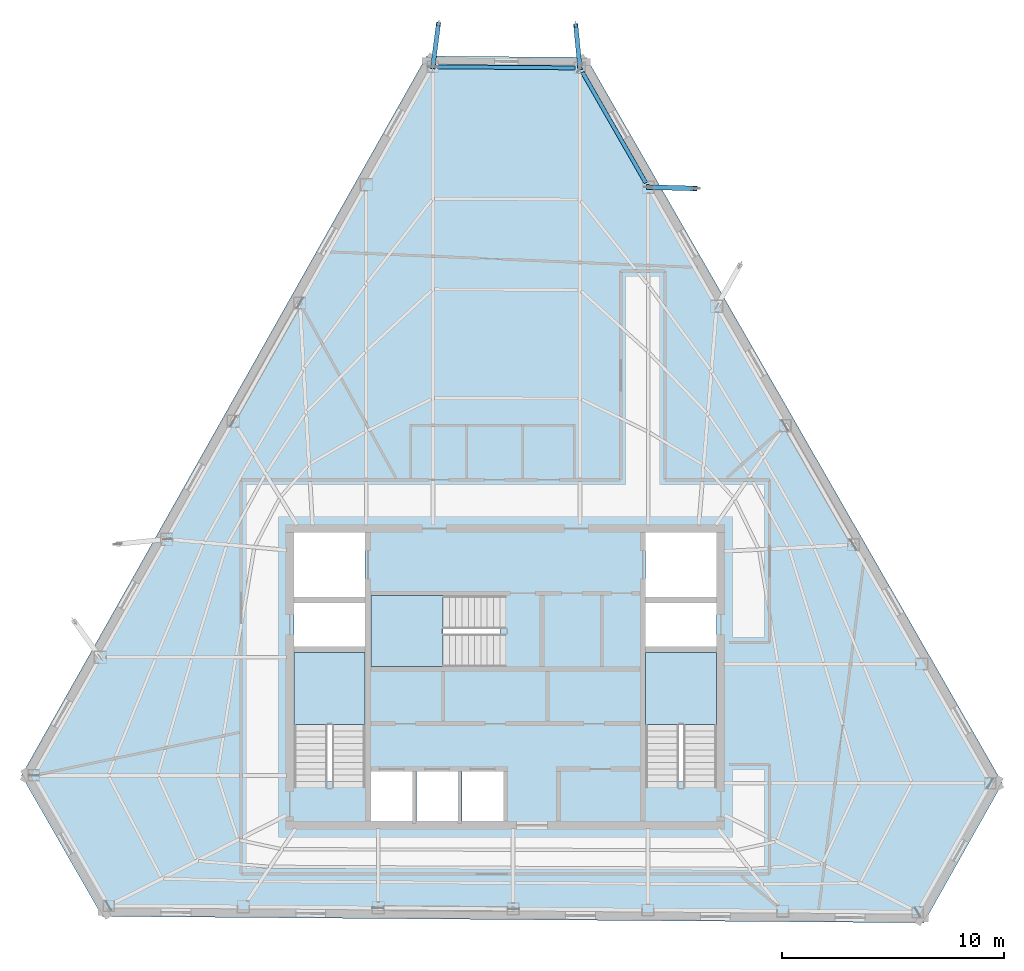
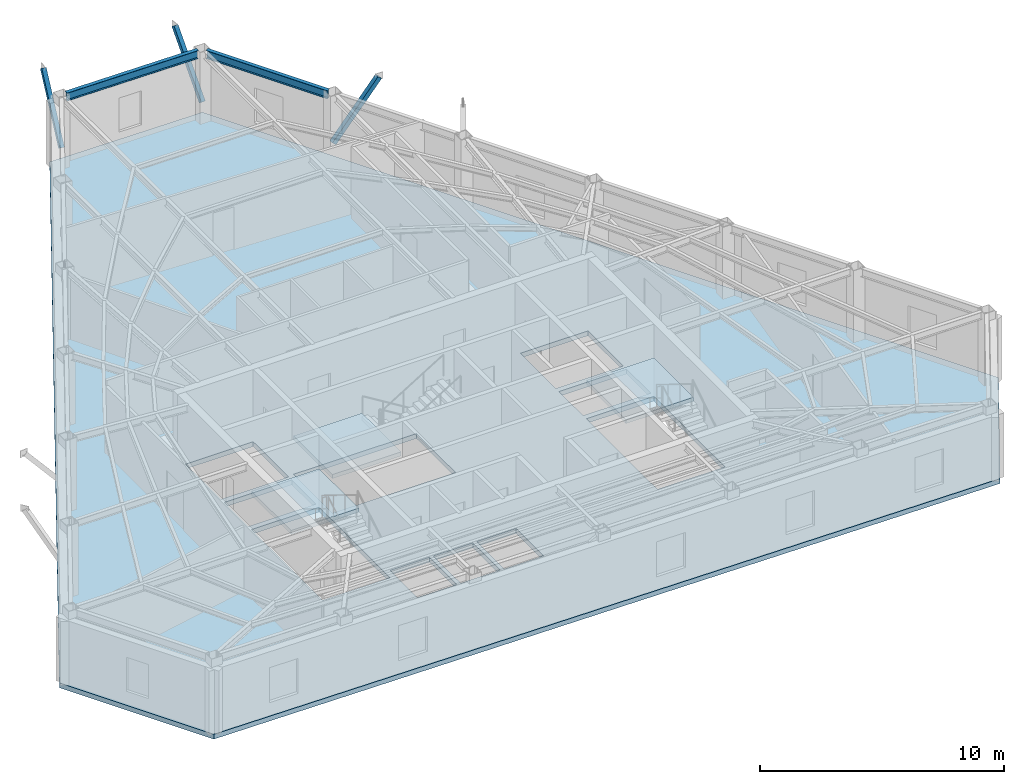
# One storey, part 3 of 10: 4 slabs, 3 members, 2 beams, 3 elements without a shape of their own.
"""IFC4 building model written with IfcOpenShell, lengths in metres."""

import ifcopenshell
import ifcopenshell.guid

model = None  # the IFC model being written
_history = None  # IfcOwnerHistory: only IFC2X3 demands one
_inside = {}  # id of a spatial element -> (the spatial element, [elements in it])
_under = {}  # id of a project, library or spatial element -> (it, [spatial elements below it])
_declared = {}  # id of a project -> (the project, [libraries it declares])
_typed = {}  # id of a type object -> (the type object, [elements of that type])
_made_of = {}  # id of a material, layer set ... -> (it, [elements and type objects made of it])


def new_model(schema):
    """Start an empty IFC model of exactly this schema.

    Asked for "IFC4X3", IfcOpenShell would pick the latest addendum, in which some entities
    have other attributes; the version numbers below select the first issue.
    IFC2X3 requires an IfcOwnerHistory on every rooted entity: one is made here for all.
    """
    global model, _history
    if schema == "IFC4X3":
        model = ifcopenshell.file(schema_version=(4, 3, 0, 0))
    else:
        model = ifcopenshell.file(schema=schema)
    _inside.clear()
    _under.clear()
    _declared.clear()
    _typed.clear()
    _made_of.clear()
    _history = None
    if model.schema == "IFC2X3":
        org = make("IfcOrganization", Name="unknown")
        user = make(
            "IfcPersonAndOrganization",
            ThePerson=make("IfcPerson", FamilyName="unknown"),
            TheOrganization=org,
        )
        app = make(
            "IfcApplication",
            ApplicationDeveloper=org,
            Version="unknown",
            ApplicationFullName="unknown",
            ApplicationIdentifier="unknown",
        )
        _history = make(
            "IfcOwnerHistory",
            OwningUser=user,
            OwningApplication=app,
            ChangeAction="ADDED",
            CreationDate=0,
        )
    return model


def make(cls, **values):
    """One entity of the class cls with the attributes given. An attribute that is None is left unset."""
    return model.create_entity(
        cls, **{name: value for name, value in values.items() if value is not None}
    )


def rooted(cls, **values):
    """An entity with a GlobalId (a new one), such as an element, a storey or a relation."""
    return make(cls, GlobalId=ifcopenshell.guid.new(), OwnerHistory=_history, **values)


def si_unit(unit_type, name, prefix=None):
    """IfcSIUnit, for example si_unit("LENGTHUNIT", "METRE", prefix="MILLI")."""
    return make("IfcSIUnit", UnitType=unit_type, Prefix=prefix, Name=name)


def assignment(units):
    """IfcUnitAssignment: the units of a project."""
    return None if units is None else make("IfcUnitAssignment", Units=units)


def point(xyz):
    """IfcCartesianPoint."""
    return None if xyz is None else make("IfcCartesianPoint", Coordinates=xyz)


def direction(xyz):
    """IfcDirection."""
    return None if xyz is None else make("IfcDirection", DirectionRatios=xyz)


def frame(location, z_axis=None, x_axis=None):
    """IfcAxis2Placement3D, a coordinate frame: its origin and axes. An axis left out is left unset."""
    return make(
        "IfcAxis2Placement3D",
        Location=point(location),
        Axis=direction(z_axis),
        RefDirection=direction(x_axis),
    )


def frame_2d(location, x_axis=None):
    """IfcAxis2Placement2D, a coordinate frame in the plane: its origin and x axis."""
    return make(
        "IfcAxis2Placement2D", Location=point(location), RefDirection=direction(x_axis)
    )


def origin():
    """The frame at (0, 0, 0) with its axes left unset."""
    return frame((0.0, 0.0, 0.0))


def origin_2d():
    """The frame at (0, 0) in the plane with its x axis left unset."""
    return frame_2d((0.0, 0.0))


def place(relative_to, where):
    """IfcLocalPlacement: puts the frame where relative to a parent placement (None: the world)."""
    return make(
        "IfcLocalPlacement", PlacementRelTo=relative_to, RelativePlacement=where
    )


def context(
    kind, dimensions, precision=None, world=None, true_north=None, identifier=None
):
    """IfcGeometricRepresentationContext, for example the 3D "Model" context."""
    return make(
        "IfcGeometricRepresentationContext",
        ContextIdentifier=identifier,
        ContextType=kind,
        CoordinateSpaceDimension=dimensions,
        Precision=precision,
        WorldCoordinateSystem=world,
        TrueNorth=true_north,
    )


def subcontext(parent, identifier, kind, view, scale=None):
    """IfcGeometricRepresentationSubContext, for example "Body" below "Model"."""
    return make(
        "IfcGeometricRepresentationSubContext",
        ContextIdentifier=identifier,
        ContextType=kind,
        ParentContext=parent,
        TargetScale=scale,
        TargetView=view,
    )


def project(units=None, contexts=None):
    """IfcProject with its units and contexts."""
    return rooted(
        "IfcProject",
        Name="project",
        RepresentationContexts=contexts,
        UnitsInContext=assignment(units),
    )


def spatial(cls, under=None, at=None, **own):
    """A site, building, storey or space (cls), placed at a placement, below another one or the project."""
    s = rooted(cls, ObjectPlacement=at, **own)
    if under is not None:
        _under.setdefault(under.id(), (under, []))[1].append(s)
    return s


def polyline(points):
    """IfcPolyline through the points."""
    return make("IfcPolyline", Points=[point(p) for p in points])


def profile(cls, at=None, kind="AREA", **sizes):
    """A parametric profile (cls). Its sizes go by their IFC names, for example OverallWidth=200.0."""
    return make(cls, ProfileType=kind, Position=at, **sizes)


def hollow_rectangle(**sizes):
    """IfcRectangleHollowProfileDef."""
    return profile("IfcRectangleHollowProfileDef", **sizes)


def i_section(**sizes):
    """IfcIShapeProfileDef."""
    return profile("IfcIShapeProfileDef", **sizes)


def outline(outer, holes=None, kind="AREA"):
    """IfcArbitraryClosedProfileDef: a profile drawn as a closed curve; with holes, ...WithVoids."""
    if holes is None:
        return make("IfcArbitraryClosedProfileDef", ProfileType=kind, OuterCurve=outer)
    return make(
        "IfcArbitraryProfileDefWithVoids",
        ProfileType=kind,
        OuterCurve=outer,
        InnerCurves=holes,
    )


def extrude(swept, where, along, depth):
    """IfcExtrudedAreaSolid: the profile swept, set in the frame where, extruded along a direction by depth."""
    return make(
        "IfcExtrudedAreaSolid",
        SweptArea=swept,
        Position=where,
        ExtrudedDirection=direction(along),
        Depth=depth,
    )


def shape(context_of_items, identifier, shape_type, items):
    """IfcShapeRepresentation: the items that make up one representation, for example the "Body"."""
    return make(
        "IfcShapeRepresentation",
        ContextOfItems=context_of_items,
        RepresentationIdentifier=identifier,
        RepresentationType=shape_type,
        Items=items,
    )


def material(Name=None, Category=None):
    """IfcMaterial."""
    return make("IfcMaterial", Name=Name, Category=Category)


def layer(
    of_material, thickness, ventilated=None, Name=None, Category=None, Priority=None
):
    """IfcMaterialLayer: one layer of a wall or slab, of a material (None: an air gap)."""
    return make(
        "IfcMaterialLayer",
        Material=of_material,
        LayerThickness=thickness,
        IsVentilated=ventilated,
        Name=Name,
        Category=Category,
        Priority=Priority,
    )


def layer_set(layers, Name=None):
    """IfcMaterialLayerSet."""
    return make("IfcMaterialLayerSet", MaterialLayers=layers, LayerSetName=Name)


def material_profile(
    of_material, cross_section, Name=None, Category=None, Priority=None
):
    """IfcMaterialProfile: a cross section and its material."""
    return make(
        "IfcMaterialProfile",
        Name=Name,
        Material=of_material,
        Profile=cross_section,
        Priority=Priority,
        Category=Category,
    )


def profile_set(profiles, Name=None, composite=None):
    """IfcMaterialProfileSet."""
    return make(
        "IfcMaterialProfileSet",
        Name=Name,
        MaterialProfiles=profiles,
        CompositeProfile=composite,
    )


def made_of(thing, what):
    """Note that an element or type object is made of a material, layer set ...; save() writes the relation."""
    if what is not None:
        _made_of.setdefault(what.id(), (what, []))[1].append(thing)
    return thing


def type_object(cls, material=None, **own):
    """A type object (cls), such as IfcWallType, which elements share."""
    return made_of(rooted(cls, **own), material)


def element(
    cls,
    number,
    at=None,
    inside=None,
    cuts=None,
    type_object=None,
    material=None,
    context=None,
    identifier="Body",
    shape_type=None,
    held_by="IfcProductDefinitionShape",
    body=None,
    shapes=None,
    **own,
):
    """One element of the class cls, such as IfcWall. Its Tag is "e" and its number.

    at: its placement. inside: the storey or other place that contains it. cuts: it is an
    opening in that element (IfcRelVoidsElement). A single representation is given by context,
    identifier, shape_type and body (its items); several are given by shapes. held_by: the class
    of the entity that holds the representations. save() writes the other relations.
    """
    e = rooted(cls, Tag="e%d" % number, ObjectPlacement=at, **own)
    if body is not None:
        shapes = [shape(context, identifier, shape_type, body)]
    if shapes is not None:
        e.Representation = make(held_by, Representations=shapes)
    if inside is not None:
        _inside.setdefault(inside.id(), (inside, []))[1].append(e)
    if cuts is not None:
        rooted(
            "IfcRelVoidsElement", RelatingBuildingElement=cuts, RelatedOpeningElement=e
        )
    if type_object is not None:
        _typed.setdefault(type_object.id(), (type_object, []))[1].append(e)
    return made_of(e, material)


def aggregate(whole, parts):
    """IfcRelAggregates: a whole, such as a stair, and the parts it consists of."""
    return rooted("IfcRelAggregates", RelatingObject=whole, RelatedObjects=parts)


def save(model, path):
    """Write the relations noted so far, then the file.

    IfcRelAggregates (storeys below a building ...), IfcRelContainedInSpatialStructure (elements
    in a storey), IfcRelDefinesByType, IfcRelAssociatesMaterial and IfcRelDeclares: one each for
    every whole, place, type object, material and project.
    """
    for whole, parts in _under.values():
        aggregate(whole, parts)
    for where, things in _inside.values():
        rooted(
            "IfcRelContainedInSpatialStructure",
            RelatedElements=things,
            RelatingStructure=where,
        )
    for kind, things in _typed.values():
        rooted("IfcRelDefinesByType", RelatedObjects=things, RelatingType=kind)
    for what, things in _made_of.values():
        rooted("IfcRelAssociatesMaterial", RelatedObjects=things, RelatingMaterial=what)
    for by, libraries in _declared.values():
        rooted("IfcRelDeclares", RelatingContext=by, RelatedDefinitions=libraries)
    model.write(path)


model = new_model("IFC4")

# Units and contexts
model_context = context("Model", 3, precision=1e-05, world=origin(), true_north=direction((0.0, 1.0)))
body_context = subcontext(model_context, "Body", "Model", "MODEL_VIEW")
ifc_project = project(units=[si_unit("LENGTHUNIT", "METRE"), si_unit("AREAUNIT", "SQUARE_METRE"), si_unit("VOLUMEUNIT", "CUBIC_METRE"), si_unit("PLANEANGLEUNIT", "RADIAN"), si_unit("MASSUNIT", "GRAM", prefix="KILO")], contexts=[model_context])

# Site, building, storey
site_placement = place(None, origin())
site = spatial("IfcSite", under=ifc_project, at=site_placement, CompositionType="ELEMENT")
building_placement = place(site_placement, origin())
building = spatial("IfcBuilding", under=site, at=building_placement, Name="Kavelnor Concourse Tower", CompositionType="ELEMENT")
storey_placement = place(building_placement, frame((0.0, 0.0, 243.35009765625)))
storey = spatial("IfcBuildingStorey", under=building, at=storey_placement, Name="L61", CompositionType="ELEMENT", Elevation=243.35009765625)

# Beams
ifc_material_1 = material(Name="Steel Grade 350", Category="steel")
ifc_material_profile_1 = material_profile(ifc_material_1, i_section(OverallWidth=0.177978515625, OverallDepth=0.406005859375, WebThickness=0.0078125, FlangeThickness=0.0126953125, at=origin_2d()), Name="410UB59")
ifc_profile_set_1 = profile_set([ifc_material_profile_1], Name="Steel Grade 350")
beam_type = type_object("IfcBeamType", Name="BM-SPANDREL-Z4", PredefinedType="SPANDREL", material=ifc_profile_set_1)
beam_1_placement = place(storey_placement, frame((41.139404296875, 43.5517578125, 3.406982421875), z_axis=(-0.999969421113, 0.007820283805, 0.0), x_axis=(-0.007820283805, -0.999969421113, 0.0)))
element("IfcBeam", 1, at=beam_1_placement, inside=storey, type_object=beam_type, Name="L61 Chamfer Facet Spandrel Beam C0", PredefinedType="SPANDREL", context=body_context, shape_type="SweptSolid", body=[
    extrude(i_section(OverallWidth=0.177978515625, OverallDepth=0.406005859375, WebThickness=0.0078125, FlangeThickness=0.0126953125, at=origin_2d()), origin(), (0.0, 0.0, 1.0), 6.181396484375),
])
beam_2_placement = place(storey_placement, frame((44.3349609375, 38.371337890625, 3.406982421875), z_axis=(-0.497579832679, 0.867418186408, 0.0), x_axis=(-0.867418186408, -0.497579832679, 0.0)))
element("IfcBeam", 2, at=beam_2_placement, inside=storey, type_object=beam_type, Name="L61 Perimeter Tube Spandrel Beam F2-B5", PredefinedType="SPANDREL", context=body_context, shape_type="SweptSolid", body=[
    extrude(i_section(OverallWidth=0.177978515625, OverallDepth=0.406005859375, WebThickness=0.0078125, FlangeThickness=0.0126953125, at=origin_2d()), origin(), (0.0, 0.0, 1.0), 5.7451171875),
])

# Members
ifc_material_profile_2 = material_profile(ifc_material_1, hollow_rectangle(XDim=0.219970703125, YDim=0.219970703125, WallThickness=0.013916015625, at=origin_2d()), Name="SHS 220x220x14")
ifc_profile_set_2 = profile_set([ifc_material_profile_2], Name="Steel Grade 350")
member_type_1 = type_object("IfcMemberType", Name="MBR-BALC-STRUT-220", PredefinedType="STRUT", material=ifc_profile_set_2)
member_1_placement = place(storey_placement, frame((44.44677734375, 38.17626953125, 1.0498046875), z_axis=(0.631222563037, -0.017586444883, 0.775402342574), x_axis=(0.027850118659, 0.999612110216, 0.0)))
element("IfcMember", 3, at=member_1_placement, inside=storey, type_object=member_type_1, Name="L61 Tree Balcony Raking Knee Strut 1-B", PredefinedType="STRUT", context=body_context, shape_type="SweptSolid", body=[
    extrude(hollow_rectangle(XDim=0.219970703125, YDim=0.219970703125, WallThickness=0.013916015625, at=origin_2d()), origin(), (0.0, 0.0, 1.0), 3.359619140625),
])
ifc_material_profile_3 = material_profile(ifc_material_1, hollow_rectangle(XDim=0.199951171875, YDim=0.199951171875, WallThickness=0.011962890625, at=origin_2d()), Name="SHS 200x200x12")
ifc_profile_set_3 = profile_set([ifc_material_profile_3], Name="Steel Grade 350")
member_type_2 = type_object("IfcMemberType", Name="MBR-TERR-STRUT-200", PredefinedType="STRUT", material=ifc_profile_set_3)
member_2_placement = place(storey_placement, frame((41.364501953125, 43.5498046875, 0.89990234375), z_axis=(-0.056645489549, 0.572732617274, 0.817782756987), x_axis=(-0.995144601939, -0.098423682272, 0.0)))
element("IfcMember", 4, at=member_2_placement, inside=storey, type_object=member_type_2, Name="L61 Spiral Terrace Raking Knee Strut C0-A", PredefinedType="STRUT", context=body_context, shape_type="SweptSolid", body=[
    extrude(hollow_rectangle(XDim=0.199951171875, YDim=0.199951171875, WallThickness=0.011962890625, at=origin_2d()), origin(), (0.0, 0.0, 1.0), 3.344482421875),
])
member_3_placement = place(storey_placement, frame((34.733154296875, 43.601806640625, 0.89990234375), z_axis=(0.074799899441, 0.574387554658, 0.815158826302), x_axis=(-0.991627008088, 0.129135110757, 0.0)))
element("IfcMember", 5, at=member_3_placement, inside=storey, type_object=member_type_2, Name="L61 Spiral Terrace Raking Knee Strut C0-B", PredefinedType="STRUT", context=body_context, shape_type="SweptSolid", body=[
    extrude(hollow_rectangle(XDim=0.199951171875, YDim=0.199951171875, WallThickness=0.011962890625, at=origin_2d()), origin(), (0.0, 0.0, 1.0), 3.355224609375),
])

# Stair, slab
ifc_material_2 = material(Name="Concrete C40/50", Category="concrete")
stair_type = type_object("IfcStairType", Name="STR-CORE-1500", PredefinedType="HALF_TURN_STAIR", material=ifc_material_2)
stair_1_placement = place(storey_placement, origin())
stair_1 = element("IfcStair", 6, at=stair_1_placement, inside=storey, type_object=stair_type, Name="L61 ST1", PredefinedType="HALF_TURN_STAIR")
ifc_layer_1 = layer(ifc_material_2, 0.199951171875, Name="Concrete C40/50")
ifc_layer_set_1 = layer_set([ifc_layer_1], Name="Concrete C40/50")
slab_type_1 = type_object("IfcSlabType", Name="SLB-LANDING-200", PredefinedType="LANDING", material=ifc_layer_set_1)
slab_1_placement = place(storey_placement, frame((0.0, 0.0, 1.724853515625)))
slab_1 = element("IfcSlab", 7, at=slab_1_placement, type_object=slab_type_1, Name="ST1 landing 1", PredefinedType="LANDING", context=body_context, shape_type="SweptSolid", body=[
    extrude(outline(polyline([(31.679931640625, 13.949951171875), (31.679931640625, 17.199951171875), (28.47998046875, 17.199951171875), (28.47998046875, 13.949951171875), (31.679931640625, 13.949951171875)])), origin(), (0.0, 0.0, 1.0), 0.199951171875),
])
aggregate(stair_1, [slab_1])

stair_2_placement = place(storey_placement, origin())
stair_2 = element("IfcStair", 8, at=stair_2_placement, inside=storey, type_object=stair_type, Name="L61 ST2", PredefinedType="HALF_TURN_STAIR")
slab_2_placement = place(storey_placement, frame((0.0, 0.0, 1.724853515625)))
slab_2 = element("IfcSlab", 9, at=slab_2_placement, type_object=slab_type_1, Name="ST2 landing 1", PredefinedType="LANDING", context=body_context, shape_type="SweptSolid", body=[
    extrude(outline(polyline([(47.52001953125, 13.949951171875), (47.52001953125, 17.199951171875), (44.320068359375, 17.199951171875), (44.320068359375, 13.949951171875), (47.52001953125, 13.949951171875)])), origin(), (0.0, 0.0, 1.0), 0.199951171875),
])
aggregate(stair_2, [slab_2])

stair_3_placement = place(storey_placement, origin())
stair_3 = element("IfcStair", 10, at=stair_3_placement, inside=storey, type_object=stair_type, Name="L61 ST3", PredefinedType="HALF_TURN_STAIR")
slab_3_placement = place(storey_placement, frame((0.0, 0.0, 1.724853515625)))
slab_3 = element("IfcSlab", 11, at=slab_3_placement, type_object=slab_type_1, Name="ST3 landing 1", PredefinedType="LANDING", context=body_context, shape_type="SweptSolid", body=[
    extrude(outline(polyline([(35.18994140625, 19.760009765625), (31.93994140625, 19.760009765625), (31.93994140625, 16.56005859375), (35.18994140625, 16.56005859375), (35.18994140625, 19.760009765625)])), origin(), (0.0, 0.0, 1.0), 0.199951171875),
])
aggregate(stair_3, [slab_3])

# Slab
ifc_layer_2 = layer(ifc_material_2, 0.239990234375, Name="Concrete C40/50")
ifc_layer_set_2 = layer_set([ifc_layer_2], Name="Concrete C40/50")
slab_type_2 = type_object("IfcSlabType", Name="SLB-OFFICE-240", PredefinedType="FLOOR", material=ifc_layer_set_2)
slab_4_placement = place(storey_placement, frame((0.0, 0.0, -0.239990234375)))
element("IfcSlab", 12, at=slab_4_placement, inside=storey, type_object=slab_type_2, Name="L61 Composite Structural Floor Slab", PredefinedType="FLOOR", context=body_context, shape_type="SweptSolid", body=[
    extrude(outline(polyline([(41.643798828125, 44.027587890625), (34.453857421875, 44.083984375), (16.18994140625, 11.65673828125), (19.833740234375, 5.30419921875), (56.864501953125, 5.013916015625), (60.41064453125, 11.31005859375), (41.643798828125, 44.027587890625)]), holes=[polyline([(28.47998046875, 11.3798828125), (31.679931640625, 11.3798828125), (31.679931640625, 17.199951171875), (28.47998046875, 17.199951171875), (28.47998046875, 11.3798828125)]), polyline([(44.320068359375, 11.3798828125), (47.52001953125, 11.3798828125), (47.52001953125, 17.199951171875), (44.320068359375, 17.199951171875), (44.320068359375, 11.3798828125)]), polyline([(31.93994140625, 16.56005859375), (37.760009765625, 16.56005859375), (37.760009765625, 19.760009765625), (31.93994140625, 19.760009765625), (31.93994140625, 16.56005859375)]), polyline([(28.47998046875, 19.699951171875), (31.679931640625, 19.699951171875), (31.679931640625, 22.60009765625), (28.47998046875, 22.60009765625), (28.47998046875, 19.699951171875)]), polyline([(44.320068359375, 19.699951171875), (47.52001953125, 19.699951171875), (47.52001953125, 22.60009765625), (44.320068359375, 22.60009765625), (44.320068359375, 19.699951171875)]), polyline([(31.93994140625, 9.60009765625), (33.81005859375, 9.60009765625), (33.81005859375, 11.840087890625), (31.93994140625, 11.840087890625), (31.93994140625, 9.60009765625)]), polyline([(33.989990234375, 9.60009765625), (35.860107421875, 9.60009765625), (35.860107421875, 11.840087890625), (33.989990234375, 11.840087890625), (33.989990234375, 9.60009765625)]), polyline([(36.0400390625, 9.60009765625), (37.909912109375, 9.60009765625), (37.909912109375, 11.840087890625), (36.0400390625, 11.840087890625), (36.0400390625, 9.60009765625)]), polyline([(28.47998046875, 17.4599609375), (31.679931640625, 17.4599609375), (31.679931640625, 19.43994140625), (28.47998046875, 19.43994140625), (28.47998046875, 17.4599609375)]), polyline([(44.320068359375, 17.4599609375), (47.52001953125, 17.4599609375), (47.52001953125, 19.43994140625), (44.320068359375, 19.43994140625), (44.320068359375, 17.4599609375)])]), origin(), (0.0, 0.0, 1.0), 0.239990234375),
])

save(model, "model.ifc")
